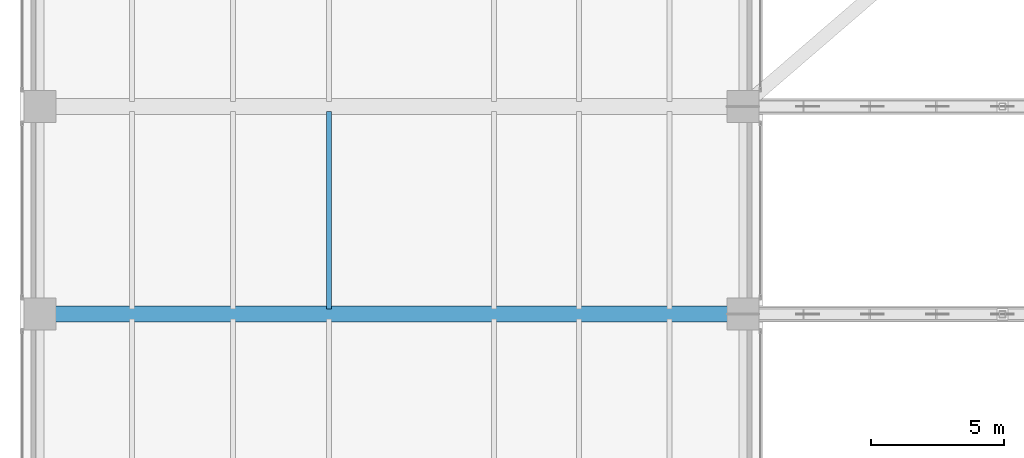
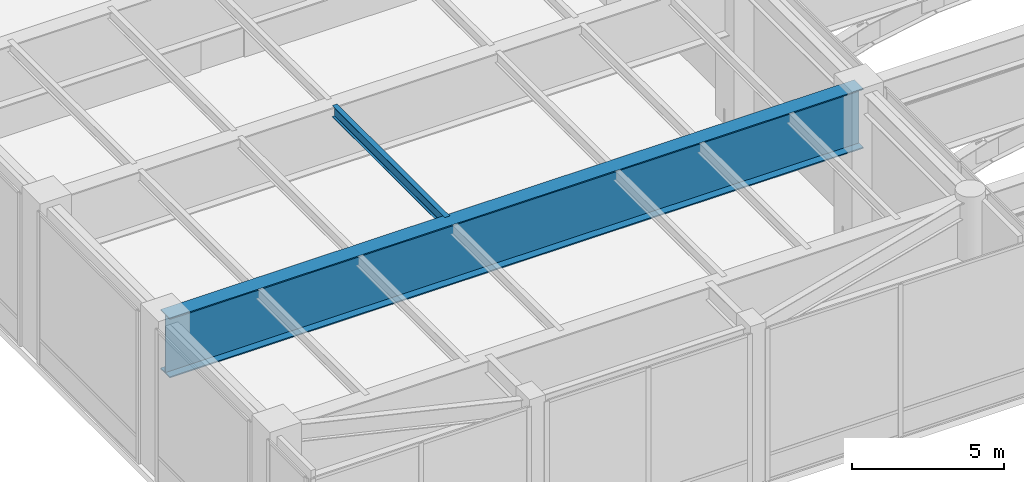
# One storey, part 6 of 50: 2 beams.
"""IFC4 building model written with IfcOpenShell, lengths in metres."""

from ifc_helpers import new_model, si_unit, direction, frame, origin, origin_2d, place, context, subcontext, project, spatial, i_section, extrude, source, transform, mapped, material, material_profile, profile_set, type_object, type_shapes, element, save


model = new_model("IFC4")

# Units and contexts
model_context = context("Model", 3, precision=1e-05, world=origin(), true_north=direction((0.0, 1.0)))
body_context = subcontext(model_context, "Body", "Model", "MODEL_VIEW")
ifc_project = project(units=[si_unit("LENGTHUNIT", "METRE"), si_unit("AREAUNIT", "SQUARE_METRE"), si_unit("VOLUMEUNIT", "CUBIC_METRE"), si_unit("PLANEANGLEUNIT", "RADIAN"), si_unit("MASSUNIT", "GRAM", prefix="KILO")], contexts=[model_context])

# Site, building, storey
site_placement = place(None, origin())
site = spatial("IfcSite", under=ifc_project, at=site_placement, CompositionType="ELEMENT")
building_placement = place(site_placement, origin())
building = spatial("IfcBuilding", under=site, at=building_placement, Name="Tolvann Quenvar Hotel", CompositionType="ELEMENT")
storey_placement = place(building_placement, frame((0.0, 0.0, 16.0)))
storey = spatial("IfcBuildingStorey", under=building, at=storey_placement, Name="L03", CompositionType="ELEMENT", Elevation=16.0)

# Beams
ifc_material = material(Name="Steel Grade 350", Category="steel")
ifc_material_profile_1 = material_profile(ifc_material, i_section(OverallWidth=0.18994140625, OverallDepth=0.4541015625, WebThickness=0.008544921875, FlangeThickness=0.0126953125, FilletRadius=0.011474609375, at=origin_2d()), Name="460UB67")
ifc_profile_set_1 = profile_set([ifc_material_profile_1], Name="Steel Grade 350")
beam_type_1 = type_object("IfcBeamType", Name="BM_JOIST_460UB67", PredefinedType="JOIST", material=ifc_profile_set_1)
shared_shape_1 = source(origin(), body_context, "Body", "SweptSolid", [
    extrude(i_section(OverallWidth=0.18994140625, OverallDepth=0.4541015625, WebThickness=0.008544921875, FlangeThickness=0.0126953125, FilletRadius=0.011474609375, at=origin_2d()), origin(), (0.0, 0.0, 1.0), 7.429931640625),
])
type_shapes(beam_type_1, [shared_shape_1])
beam_1_placement = place(storey_placement, frame((3.199951171875, 8.385009765625, 5.9130859375), z_axis=(0.0, 1.0, 0.0), x_axis=(-1.0, 0.0, 0.0)))
element("IfcBeam", 1, at=beam_1_placement, inside=storey, type_object=beam_type_1, Name="BJ-L03-32-82", PredefinedType="JOIST", context=body_context, shape_type="MappedRepresentation", body=[
    mapped(shared_shape_1, transform((0.0, 0.0, 0.0), x_axis=(1.0, 0.0, 0.0), y_axis=(0.0, 1.0, 0.0), z_axis=(0.0, 0.0, 1.0), scale=1.0)),
])
ifc_material_profile_2 = material_profile(ifc_material, i_section(OverallWidth=0.60009765625, OverallDepth=2.39990234375, WebThickness=0.02001953125, FlangeThickness=0.044921875, at=origin_2d()), Name="2400WB655")
ifc_profile_set_2 = profile_set([ifc_material_profile_2], Name="Steel Grade 350")
beam_type_2 = type_object("IfcBeamType", Name="BM_TG_2400WB655", PredefinedType="USERDEFINED", material=ifc_profile_set_2)
shared_shape_2 = source(origin(), body_context, "Body", "SweptSolid", [
    extrude(i_section(OverallWidth=0.60009765625, OverallDepth=2.39990234375, WebThickness=0.02001953125, FlangeThickness=0.044921875, at=origin_2d()), origin(), (0.0, 0.0, 1.0), 26.39990234375),
])
type_shapes(beam_type_2, [shared_shape_2])
beam_2_placement = place(storey_placement, frame((-7.64990234375, 8.199951171875, 4.93994140625), z_axis=(1.0, 0.0, 0.0), x_axis=(0.0, 1.0, 0.0)))
element("IfcBeam", 2, at=beam_2_placement, inside=storey, type_object=beam_type_2, Name="Ballroom Clear-Span Girder L03-2", ObjectType="TRANSFER GIRDER", PredefinedType="USERDEFINED", context=body_context, shape_type="MappedRepresentation", body=[
    mapped(shared_shape_2, transform((0.0, 0.0, 0.0), x_axis=(1.0, 0.0, 0.0), y_axis=(0.0, 1.0, 0.0), z_axis=(0.0, 0.0, 1.0), scale=1.0)),
])

save(model, "model.ifc")
